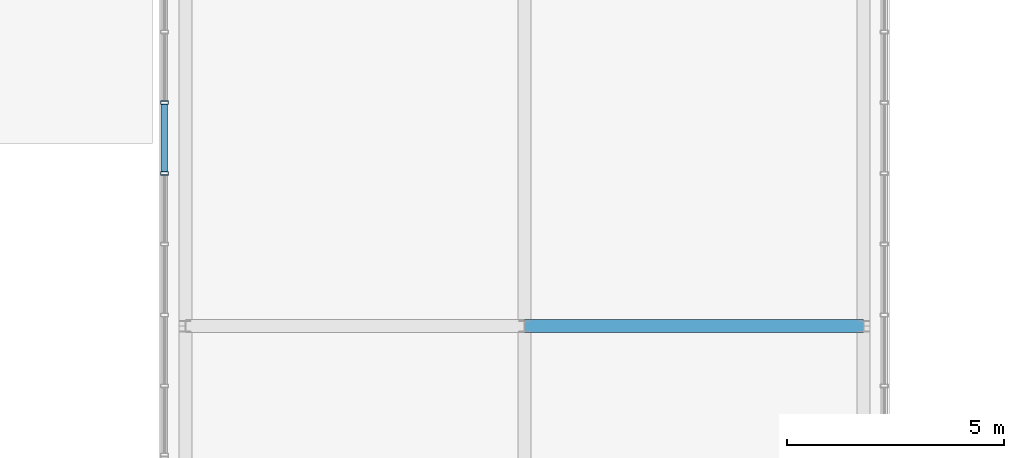
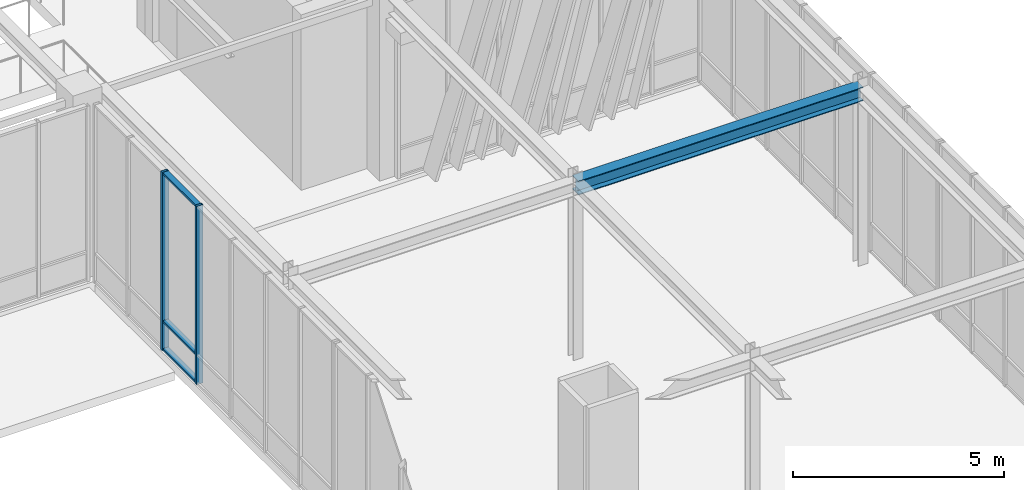
# One storey, part 26 of 139: 5 members, 1 beam, 1 element without a shape of its own.
"""IFC4 building model written with IfcOpenShell, lengths in metres."""

from ifc_helpers import new_model, si_unit, direction, frame, origin, origin_2d, place, context, subcontext, project, spatial, hollow_rectangle, i_section, extrude, material, layer, layer_set, material_profile, profile_set, type_object, element, aggregate, save


model = new_model("IFC4")

# Units and contexts
model_context = context("Model", 3, precision=1e-05, world=origin(), true_north=direction((0.0, 1.0)))
body_context = subcontext(model_context, "Body", "Model", "MODEL_VIEW")
ifc_project = project(units=[si_unit("LENGTHUNIT", "METRE"), si_unit("AREAUNIT", "SQUARE_METRE"), si_unit("VOLUMEUNIT", "CUBIC_METRE"), si_unit("PLANEANGLEUNIT", "RADIAN"), si_unit("MASSUNIT", "GRAM", prefix="KILO")], contexts=[model_context])

# Site, building, storey
site_placement = place(None, origin())
site = spatial("IfcSite", under=ifc_project, at=site_placement, CompositionType="ELEMENT")
building_placement = place(site_placement, origin())
building = spatial("IfcBuilding", under=site, at=building_placement, Name="Zayran Congress Hotel", CompositionType="ELEMENT")
storey_placement = place(building_placement, frame((0.0, 0.0, 5.39990234375)))
storey = spatial("IfcBuildingStorey", under=building, at=storey_placement, Name="L01", CompositionType="ELEMENT", Elevation=5.39990234375)

# Beam
ifc_material_1 = material(Name="Steel S355", Category="steel")
ifc_material_profile_1 = material_profile(ifc_material_1, i_section(OverallWidth=0.300048828125, OverallDepth=0.39990234375, WebThickness=0.013427734375, FlangeThickness=0.02392578125, at=origin_2d()), Name="HEB 400")
ifc_profile_set_1 = profile_set([ifc_material_profile_1], Name="Steel S355")
beam_type = type_object("IfcBeamType", Name="TP-BM-10", PredefinedType="BEAM", material=ifc_profile_set_1)
beam_placement = place(storey_placement, frame((84.0, 59.199951171875, 4.960205078125), z_axis=(1.0, 0.0, 0.0), x_axis=(0.0, 1.0, 0.0)))
element("IfcBeam", 1, at=beam_placement, inside=storey, type_object=beam_type, Name="BM-BR2-L01-2463", PredefinedType="BEAM", context=body_context, shape_type="SweptSolid", body=[
    extrude(i_section(OverallWidth=0.300048828125, OverallDepth=0.39990234375, WebThickness=0.013427734375, FlangeThickness=0.02392578125, at=origin_2d()), origin(), (0.0, 0.0, 1.0), 7.800048828125),
])

# Curtain wall, members
ifc_material_2 = material(Name="Anodised aluminium and low-E insulated glass", Category="aluminium")
ifc_layer = layer(ifc_material_2, 0.179931640625)
ifc_layer_set = layer_set([ifc_layer], Name="Anodised aluminium and low-E insulated glass")
curtain_wall_type = type_object("IfcCurtainWallType", Name="CW-BR2-L01-CW-BR2-11400-5160", PredefinedType="USERDEFINED", material=ifc_layer_set)
curtain_wall_placement = place(storey_placement, origin())
curtain_wall = element("IfcCurtainWall", 2, at=curtain_wall_placement, inside=storey, type_object=curtain_wall_type, Name="CW-BR2W-L01-2", ObjectType="CURTAIN WALL", PredefinedType="USERDEFINED")
ifc_material_3 = material(Name="Anodised aluminium framing", Category="aluminium")
ifc_material_profile_2 = material_profile(ifc_material_3, hollow_rectangle(XDim=0.080078125, YDim=0.179931640625, WallThickness=0.0048828125, at=origin_2d()), Name="RHS 180x80x5")
ifc_profile_set_2 = profile_set([ifc_material_profile_2], Name="Anodised aluminium framing")
member_type_1 = type_object("IfcMemberType", Name="TP-CWM-01", PredefinedType="MULLION", material=ifc_profile_set_2)
member_1_placement = place(storey_placement, frame((75.719970703125, 64.343017578125, 0.0), z_axis=(0.0, 0.0, 1.0), x_axis=(0.0, 1.0, 0.0)))
member_1 = element("IfcMember", 3, at=member_1_placement, type_object=member_type_1, Name="CW-BR2W-L01-2-M02", PredefinedType="MULLION", context=body_context, shape_type="SweptSolid", body=[
    extrude(hollow_rectangle(XDim=0.080078125, YDim=0.179931640625, WallThickness=0.0048828125, at=origin_2d()), origin(), (0.0, 0.0, 1.0), 5.16015625),
])
member_2_placement = place(storey_placement, frame((75.719970703125, 62.71435546875, 0.0), z_axis=(0.0, 0.0, 1.0), x_axis=(0.0, 1.0, 0.0)))
member_2 = element("IfcMember", 4, at=member_2_placement, type_object=member_type_1, Name="CW-BR2W-L01-2-M03", PredefinedType="MULLION", context=body_context, shape_type="SweptSolid", body=[
    extrude(hollow_rectangle(XDim=0.080078125, YDim=0.179931640625, WallThickness=0.0048828125, at=origin_2d()), origin(), (0.0, 0.0, 1.0), 5.16015625),
])
ifc_material_profile_3 = material_profile(ifc_material_3, hollow_rectangle(XDim=0.06005859375, YDim=0.14990234375, WallThickness=0.00390625, at=origin_2d()), Name="RHS 150x60x4")
ifc_profile_set_3 = profile_set([ifc_material_profile_3], Name="Anodised aluminium framing")
member_type_2 = type_object("IfcMemberType", Name="TP-CWT-01", PredefinedType="USERDEFINED", material=ifc_profile_set_3)
member_3_placement = place(storey_placement, frame((75.719970703125, 64.302978515625, 0.030029296875), z_axis=(0.0, -1.0, 0.0), x_axis=(0.0, 0.0, 1.0)))
member_3 = element("IfcMember", 5, at=member_3_placement, type_object=member_type_2, Name="CW-BR2W-L01-2-T02-0", ObjectType="TRANSOM", PredefinedType="USERDEFINED", context=body_context, shape_type="SweptSolid", body=[
    extrude(hollow_rectangle(XDim=0.06005859375, YDim=0.14990234375, WallThickness=0.00390625, at=origin_2d()), origin(), (0.0, 0.0, 1.0), 1.548583984375),
])
member_4_placement = place(storey_placement, frame((75.719970703125, 64.302978515625, 0.840087890625), z_axis=(0.0, -1.0, 0.0), x_axis=(0.0, 0.0, 1.0)))
member_4 = element("IfcMember", 6, at=member_4_placement, type_object=member_type_2, Name="CW-BR2W-L01-2-T02-1", ObjectType="TRANSOM", PredefinedType="USERDEFINED", context=body_context, shape_type="SweptSolid", body=[
    extrude(hollow_rectangle(XDim=0.06005859375, YDim=0.14990234375, WallThickness=0.00390625, at=origin_2d()), origin(), (0.0, 0.0, 1.0), 1.548583984375),
])
member_5_placement = place(storey_placement, frame((75.719970703125, 64.302978515625, 5.130126953125), z_axis=(0.0, -1.0, 0.0), x_axis=(0.0, 0.0, 1.0)))
member_5 = element("IfcMember", 7, at=member_5_placement, type_object=member_type_2, Name="CW-BR2W-L01-2-T02-2", ObjectType="TRANSOM", PredefinedType="USERDEFINED", context=body_context, shape_type="SweptSolid", body=[
    extrude(hollow_rectangle(XDim=0.06005859375, YDim=0.14990234375, WallThickness=0.00390625, at=origin_2d()), origin(), (0.0, 0.0, 1.0), 1.548583984375),
])
aggregate(curtain_wall, [member_1, member_2, member_3, member_4, member_5])

save(model, "model.ifc")
